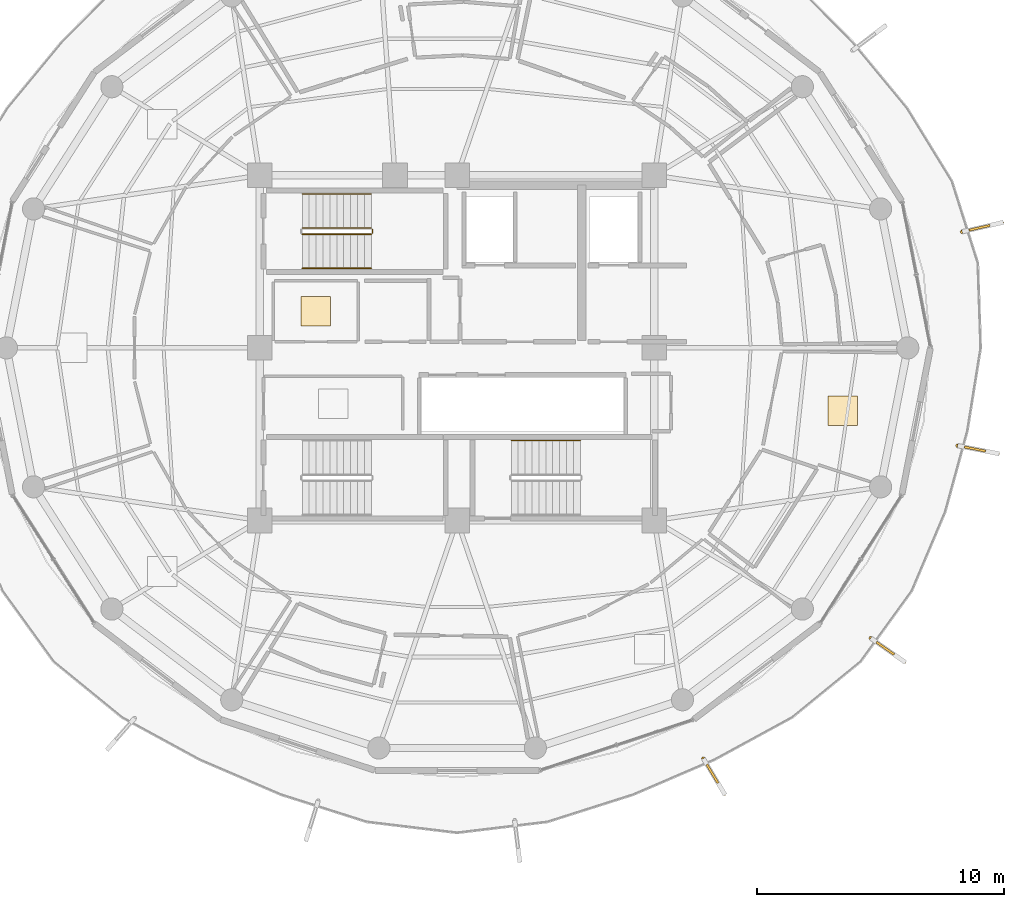
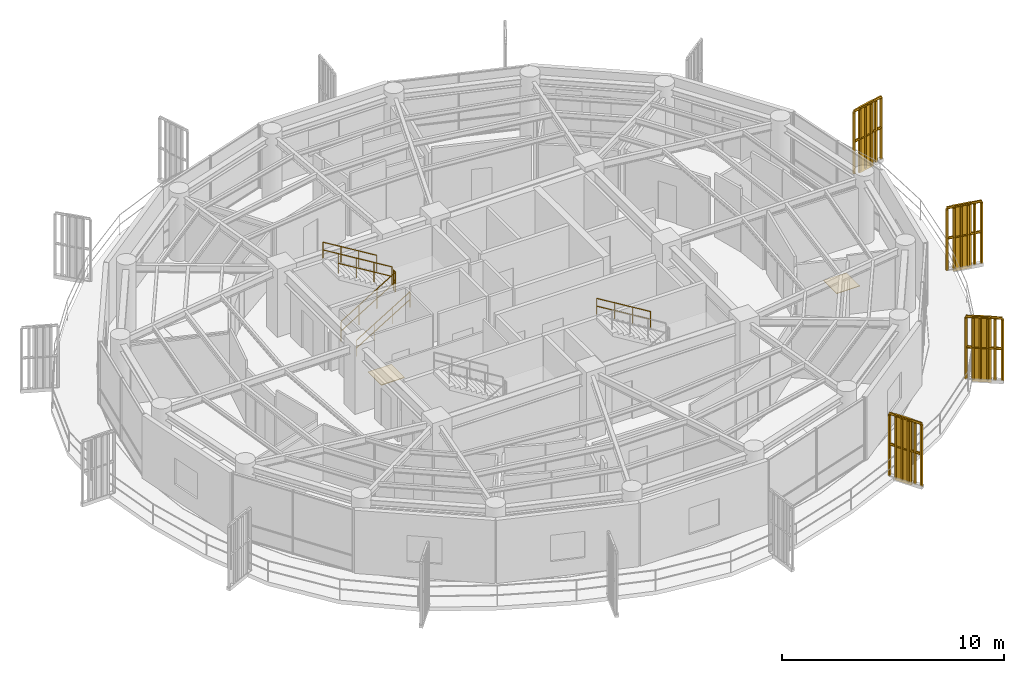
# One storey, part 22 of 23: 10 railings, 4 shading devices, 2 coverings.
"""IFC4 building model written with IfcOpenShell, lengths in metres."""

import ifcopenshell
import ifcopenshell.guid

model = None  # the IFC model being written
_history = None  # IfcOwnerHistory: only IFC2X3 demands one
_inside = {}  # id of a spatial element -> (the spatial element, [elements in it])
_under = {}  # id of a project, library or spatial element -> (it, [spatial elements below it])
_declared = {}  # id of a project -> (the project, [libraries it declares])
_typed = {}  # id of a type object -> (the type object, [elements of that type])
_made_of = {}  # id of a material, layer set ... -> (it, [elements and type objects made of it])


def new_model(schema):
    """Start an empty IFC model of exactly this schema.

    Asked for "IFC4X3", IfcOpenShell would pick the latest addendum, in which some entities
    have other attributes; the version numbers below select the first issue.
    IFC2X3 requires an IfcOwnerHistory on every rooted entity: one is made here for all.
    """
    global model, _history
    if schema == "IFC4X3":
        model = ifcopenshell.file(schema_version=(4, 3, 0, 0))
    else:
        model = ifcopenshell.file(schema=schema)
    _inside.clear()
    _under.clear()
    _declared.clear()
    _typed.clear()
    _made_of.clear()
    _history = None
    if model.schema == "IFC2X3":
        org = make("IfcOrganization", Name="unknown")
        user = make(
            "IfcPersonAndOrganization",
            ThePerson=make("IfcPerson", FamilyName="unknown"),
            TheOrganization=org,
        )
        app = make(
            "IfcApplication",
            ApplicationDeveloper=org,
            Version="unknown",
            ApplicationFullName="unknown",
            ApplicationIdentifier="unknown",
        )
        _history = make(
            "IfcOwnerHistory",
            OwningUser=user,
            OwningApplication=app,
            ChangeAction="ADDED",
            CreationDate=0,
        )
    return model


def make(cls, **values):
    """One entity of the class cls with the attributes given. An attribute that is None is left unset."""
    return model.create_entity(
        cls, **{name: value for name, value in values.items() if value is not None}
    )


def rooted(cls, **values):
    """An entity with a GlobalId (a new one), such as an element, a storey or a relation."""
    return make(cls, GlobalId=ifcopenshell.guid.new(), OwnerHistory=_history, **values)


def si_unit(unit_type, name, prefix=None):
    """IfcSIUnit, for example si_unit("LENGTHUNIT", "METRE", prefix="MILLI")."""
    return make("IfcSIUnit", UnitType=unit_type, Prefix=prefix, Name=name)


def assignment(units):
    """IfcUnitAssignment: the units of a project."""
    return None if units is None else make("IfcUnitAssignment", Units=units)


def point(xyz):
    """IfcCartesianPoint."""
    return None if xyz is None else make("IfcCartesianPoint", Coordinates=xyz)


def direction(xyz):
    """IfcDirection."""
    return None if xyz is None else make("IfcDirection", DirectionRatios=xyz)


def frame(location, z_axis=None, x_axis=None):
    """IfcAxis2Placement3D, a coordinate frame: its origin and axes. An axis left out is left unset."""
    return make(
        "IfcAxis2Placement3D",
        Location=point(location),
        Axis=direction(z_axis),
        RefDirection=direction(x_axis),
    )


def frame_2d(location, x_axis=None):
    """IfcAxis2Placement2D, a coordinate frame in the plane: its origin and x axis."""
    return make(
        "IfcAxis2Placement2D", Location=point(location), RefDirection=direction(x_axis)
    )


def origin():
    """The frame at (0, 0, 0) with its axes left unset."""
    return frame((0.0, 0.0, 0.0))


def origin_2d():
    """The frame at (0, 0) in the plane with its x axis left unset."""
    return frame_2d((0.0, 0.0))


def place(relative_to, where):
    """IfcLocalPlacement: puts the frame where relative to a parent placement (None: the world)."""
    return make(
        "IfcLocalPlacement", PlacementRelTo=relative_to, RelativePlacement=where
    )


def context(
    kind, dimensions, precision=None, world=None, true_north=None, identifier=None
):
    """IfcGeometricRepresentationContext, for example the 3D "Model" context."""
    return make(
        "IfcGeometricRepresentationContext",
        ContextIdentifier=identifier,
        ContextType=kind,
        CoordinateSpaceDimension=dimensions,
        Precision=precision,
        WorldCoordinateSystem=world,
        TrueNorth=true_north,
    )


def subcontext(parent, identifier, kind, view, scale=None):
    """IfcGeometricRepresentationSubContext, for example "Body" below "Model"."""
    return make(
        "IfcGeometricRepresentationSubContext",
        ContextIdentifier=identifier,
        ContextType=kind,
        ParentContext=parent,
        TargetScale=scale,
        TargetView=view,
    )


def project(units=None, contexts=None):
    """IfcProject with its units and contexts."""
    return rooted(
        "IfcProject",
        Name="project",
        RepresentationContexts=contexts,
        UnitsInContext=assignment(units),
    )


def spatial(cls, under=None, at=None, **own):
    """A site, building, storey or space (cls), placed at a placement, below another one or the project."""
    s = rooted(cls, ObjectPlacement=at, **own)
    if under is not None:
        _under.setdefault(under.id(), (under, []))[1].append(s)
    return s


def polyline(points):
    """IfcPolyline through the points."""
    return make("IfcPolyline", Points=[point(p) for p in points])


def profile(cls, at=None, kind="AREA", **sizes):
    """A parametric profile (cls). Its sizes go by their IFC names, for example OverallWidth=200.0."""
    return make(cls, ProfileType=kind, Position=at, **sizes)


def rectangle(**sizes):
    """IfcRectangleProfileDef."""
    return profile("IfcRectangleProfileDef", **sizes)


def outline(outer, holes=None, kind="AREA"):
    """IfcArbitraryClosedProfileDef: a profile drawn as a closed curve; with holes, ...WithVoids."""
    if holes is None:
        return make("IfcArbitraryClosedProfileDef", ProfileType=kind, OuterCurve=outer)
    return make(
        "IfcArbitraryProfileDefWithVoids",
        ProfileType=kind,
        OuterCurve=outer,
        InnerCurves=holes,
    )


def extrude(swept, where, along, depth):
    """IfcExtrudedAreaSolid: the profile swept, set in the frame where, extruded along a direction by depth."""
    return make(
        "IfcExtrudedAreaSolid",
        SweptArea=swept,
        Position=where,
        ExtrudedDirection=direction(along),
        Depth=depth,
    )


def shape(context_of_items, identifier, shape_type, items):
    """IfcShapeRepresentation: the items that make up one representation, for example the "Body"."""
    return make(
        "IfcShapeRepresentation",
        ContextOfItems=context_of_items,
        RepresentationIdentifier=identifier,
        RepresentationType=shape_type,
        Items=items,
    )


def source(mapping_origin, context_of_items, identifier, shape_type, items):
    """IfcRepresentationMap: a shape defined once, which mapped items show again and again."""
    return make(
        "IfcRepresentationMap",
        MappingOrigin=mapping_origin,
        MappedRepresentation=shape(context_of_items, identifier, shape_type, items),
    )


def transform(
    local_origin,
    x_axis=None,
    y_axis=None,
    z_axis=None,
    scale=None,
    scale2=None,
    scale3=None,
    uniform=True,
):
    """IfcCartesianTransformationOperator3D, or its non-uniform kind. x_axis, y_axis, z_axis: its Axis1, 2, 3."""
    if uniform:
        return make(
            "IfcCartesianTransformationOperator3D",
            Axis1=direction(x_axis),
            Axis2=direction(y_axis),
            LocalOrigin=point(local_origin),
            Scale=scale,
            Axis3=direction(z_axis),
        )
    return make(
        "IfcCartesianTransformationOperator3DnonUniform",
        Axis1=direction(x_axis),
        Axis2=direction(y_axis),
        LocalOrigin=point(local_origin),
        Scale=scale,
        Axis3=direction(z_axis),
        Scale2=scale2,
        Scale3=scale3,
    )


def mapped(mapping_source, mapping_target):
    """IfcMappedItem: shows the shape of a source again, moved by a transform."""
    return make(
        "IfcMappedItem", MappingSource=mapping_source, MappingTarget=mapping_target
    )


def material(Name=None, Category=None):
    """IfcMaterial."""
    return make("IfcMaterial", Name=Name, Category=Category)


def layer(
    of_material, thickness, ventilated=None, Name=None, Category=None, Priority=None
):
    """IfcMaterialLayer: one layer of a wall or slab, of a material (None: an air gap)."""
    return make(
        "IfcMaterialLayer",
        Material=of_material,
        LayerThickness=thickness,
        IsVentilated=ventilated,
        Name=Name,
        Category=Category,
        Priority=Priority,
    )


def layer_set(layers, Name=None):
    """IfcMaterialLayerSet."""
    return make("IfcMaterialLayerSet", MaterialLayers=layers, LayerSetName=Name)


def made_of(thing, what):
    """Note that an element or type object is made of a material, layer set ...; save() writes the relation."""
    if what is not None:
        _made_of.setdefault(what.id(), (what, []))[1].append(thing)
    return thing


def type_object(cls, material=None, **own):
    """A type object (cls), such as IfcWallType, which elements share."""
    return made_of(rooted(cls, **own), material)


def element(
    cls,
    number,
    at=None,
    inside=None,
    cuts=None,
    type_object=None,
    material=None,
    context=None,
    identifier="Body",
    shape_type=None,
    held_by="IfcProductDefinitionShape",
    body=None,
    shapes=None,
    **own,
):
    """One element of the class cls, such as IfcWall. Its Tag is "e" and its number.

    at: its placement. inside: the storey or other place that contains it. cuts: it is an
    opening in that element (IfcRelVoidsElement). A single representation is given by context,
    identifier, shape_type and body (its items); several are given by shapes. held_by: the class
    of the entity that holds the representations. save() writes the other relations.
    """
    e = rooted(cls, Tag="e%d" % number, ObjectPlacement=at, **own)
    if body is not None:
        shapes = [shape(context, identifier, shape_type, body)]
    if shapes is not None:
        e.Representation = make(held_by, Representations=shapes)
    if inside is not None:
        _inside.setdefault(inside.id(), (inside, []))[1].append(e)
    if cuts is not None:
        rooted(
            "IfcRelVoidsElement", RelatingBuildingElement=cuts, RelatedOpeningElement=e
        )
    if type_object is not None:
        _typed.setdefault(type_object.id(), (type_object, []))[1].append(e)
    return made_of(e, material)


def aggregate(whole, parts):
    """IfcRelAggregates: a whole, such as a stair, and the parts it consists of."""
    return rooted("IfcRelAggregates", RelatingObject=whole, RelatedObjects=parts)


def save(model, path):
    """Write the relations noted so far, then the file.

    IfcRelAggregates (storeys below a building ...), IfcRelContainedInSpatialStructure (elements
    in a storey), IfcRelDefinesByType, IfcRelAssociatesMaterial and IfcRelDeclares: one each for
    every whole, place, type object, material and project.
    """
    for whole, parts in _under.values():
        aggregate(whole, parts)
    for where, things in _inside.values():
        rooted(
            "IfcRelContainedInSpatialStructure",
            RelatedElements=things,
            RelatingStructure=where,
        )
    for kind, things in _typed.values():
        rooted("IfcRelDefinesByType", RelatedObjects=things, RelatingType=kind)
    for what, things in _made_of.values():
        rooted("IfcRelAssociatesMaterial", RelatedObjects=things, RelatingMaterial=what)
    for by, libraries in _declared.values():
        rooted("IfcRelDeclares", RelatingContext=by, RelatedDefinitions=libraries)
    model.write(path)


model = new_model("IFC4")

# Units and contexts
model_context = context("Model", 3, precision=1e-05, world=origin(), true_north=direction((0.0, 1.0)))
body_context = subcontext(model_context, "Body", "Model", "MODEL_VIEW")
ifc_project = project(units=[si_unit("LENGTHUNIT", "METRE"), si_unit("AREAUNIT", "SQUARE_METRE"), si_unit("VOLUMEUNIT", "CUBIC_METRE"), si_unit("PLANEANGLEUNIT", "RADIAN"), si_unit("MASSUNIT", "GRAM", prefix="KILO")], contexts=[model_context])

# Site, building, storey
site_placement = place(None, origin())
site = spatial("IfcSite", under=ifc_project, at=site_placement, CompositionType="ELEMENT")
building_placement = place(site_placement, origin())
building = spatial("IfcBuilding", under=site, at=building_placement, Name="Kelanora Arch Commons", CompositionType="ELEMENT")
storey_placement = place(building_placement, frame((0.0, 0.0, 252.449951171875)))
storey = spatial("IfcBuildingStorey", under=building, at=storey_placement, Name="L64", CompositionType="ELEMENT", Elevation=252.449951171875)

# Railings
ifc_material_1 = material(Name="Anodised bronze vertical shading fin rib assembly")
railing_type_1 = type_object("IfcRailingType", Name="RAIL-FIN-BRZ", PredefinedType="BALUSTRADE", material=ifc_material_1)
railing_1_placement = place(storey_placement, frame((90.77880859375, 46.228759765625, -0.02001953125)))
element("IfcRailing", 1, at=railing_1_placement, inside=storey, type_object=railing_type_1, Name="Sweeping Bronze Vertical Fin Blade L64-00", PredefinedType="BALUSTRADE", context=body_context, shape_type="SweptSolid", body=[
    extrude(outline(polyline([(0.06982421875, 0.0), (0.034912109375, 0.060546875), (-0.034912109375, 0.060546875), (-0.06982421875, 0.0), (-0.034912109375, -0.060546875), (0.034912109375, -0.060546875), (0.06982421875, 0.0)])), frame((0.0, 0.0, 3.419921875), z_axis=(0.818616168647, -0.5743409862, 0.0), x_axis=(0.5743409862, 0.818616168647, 0.0)), (0.0, 0.0, 1.0), 1.6591796875),
    extrude(outline(polyline([(0.06982421875, 0.0), (0.034912109375, 0.060546875), (-0.034912109375, 0.060546875), (-0.06982421875, 0.0), (-0.034912109375, -0.060546875), (0.034912109375, -0.060546875), (0.06982421875, 0.0)])), frame((0.0, 0.0, 1.7451171875), z_axis=(0.818616168647, -0.5743409862, 0.0), x_axis=(0.5743409862, 0.818616168647, 0.0)), (0.0, 0.0, 1.0), 1.6591796875),
    extrude(outline(polyline([(0.080078125, 0.0), (0.0400390625, 0.0693359375), (-0.0400390625, 0.0693359375), (-0.080078125, 0.0), (-0.0400390625, -0.0693359375), (0.0400390625, -0.0693359375), (0.080078125, 0.0)])), origin(), (0.0, 0.0, 1.0), 3.35009765625),
    extrude(outline(polyline([(0.080078125, 0.0), (0.0400390625, 0.0693359375), (-0.0400390625, 0.0693359375), (-0.080078125, 0.0), (-0.0400390625, -0.0693359375), (0.0400390625, -0.0693359375), (0.080078125, 0.0)])), frame((0.271728515625, -0.190673828125, 0.0)), (0.0, 0.0, 1.0), 3.35009765625),
    extrude(outline(polyline([(0.080078125, 0.0), (0.0400390625, 0.0693359375), (-0.0400390625, 0.0693359375), (-0.080078125, 0.0), (-0.0400390625, -0.0693359375), (0.0400390625, -0.0693359375), (0.080078125, 0.0)])), frame((0.543212890625, -0.381103515625, 0.0)), (0.0, 0.0, 1.0), 3.35009765625),
    extrude(outline(polyline([(0.080078125, 0.0), (0.0400390625, 0.0693359375), (-0.0400390625, 0.0693359375), (-0.080078125, 0.0), (-0.0400390625, -0.0693359375), (0.0400390625, -0.0693359375), (0.080078125, 0.0)])), frame((0.81494140625, -0.57177734375, 0.0)), (0.0, 0.0, 1.0), 3.35009765625),
    extrude(outline(polyline([(0.080078125, 0.0), (0.0400390625, 0.0693359375), (-0.0400390625, 0.0693359375), (-0.080078125, 0.0), (-0.0400390625, -0.0693359375), (0.0400390625, -0.0693359375), (0.080078125, 0.0)])), frame((1.08642578125, -0.76220703125, 0.0)), (0.0, 0.0, 1.0), 3.35009765625),
    extrude(outline(polyline([(0.080078125, 0.0), (0.0400390625, 0.0693359375), (-0.0400390625, 0.0693359375), (-0.080078125, 0.0), (-0.0400390625, -0.0693359375), (0.0400390625, -0.0693359375), (0.080078125, 0.0)])), frame((1.358154296875, -0.952880859375, 0.0)), (0.0, 0.0, 1.0), 3.35009765625),
])
railing_2_placement = place(storey_placement, frame((94.29931640625, 54.03515625, -0.02001953125)))
element("IfcRailing", 2, at=railing_2_placement, inside=storey, type_object=railing_type_1, Name="Sweeping Bronze Vertical Fin Blade L64-01", PredefinedType="BALUSTRADE", context=body_context, shape_type="SweptSolid", body=[
    extrude(outline(polyline([(0.06982421875, 0.0), (0.034912109375, 0.060546875), (-0.034912109375, 0.060546875), (-0.06982421875, 0.0), (-0.034912109375, -0.060546875), (0.034912109375, -0.060546875), (0.06982421875, 0.0)])), frame((0.0, 0.0, 3.419921875), z_axis=(0.981448069066, -0.191728161018, 0.0), x_axis=(0.191728161018, 0.981448069066, 0.0)), (0.0, 0.0, 1.0), 1.6591796875),
    extrude(outline(polyline([(0.06982421875, 0.0), (0.034912109375, 0.060546875), (-0.034912109375, 0.060546875), (-0.06982421875, 0.0), (-0.034912109375, -0.060546875), (0.034912109375, -0.060546875), (0.06982421875, 0.0)])), frame((0.0, 0.0, 1.7451171875), z_axis=(0.981448069066, -0.191728161018, 0.0), x_axis=(0.191728161018, 0.981448069066, 0.0)), (0.0, 0.0, 1.0), 1.6591796875),
    extrude(outline(polyline([(0.080078125, 0.0), (0.0400390625, 0.0693359375), (-0.0400390625, 0.0693359375), (-0.080078125, 0.0), (-0.0400390625, -0.0693359375), (0.0400390625, -0.0693359375), (0.080078125, 0.0)])), origin(), (0.0, 0.0, 1.0), 3.35009765625),
    extrude(outline(polyline([(0.080078125, 0.0), (0.0400390625, 0.0693359375), (-0.0400390625, 0.0693359375), (-0.080078125, 0.0), (-0.0400390625, -0.0693359375), (0.0400390625, -0.0693359375), (0.080078125, 0.0)])), frame((0.32568359375, -0.063720703125, 0.0)), (0.0, 0.0, 1.0), 3.35009765625),
    extrude(outline(polyline([(0.080078125, 0.0), (0.0400390625, 0.0693359375), (-0.0400390625, 0.0693359375), (-0.080078125, 0.0), (-0.0400390625, -0.0693359375), (0.0400390625, -0.0693359375), (0.080078125, 0.0)])), frame((0.6513671875, -0.127197265625, 0.0)), (0.0, 0.0, 1.0), 3.35009765625),
    extrude(outline(polyline([(0.080078125, 0.0), (0.0400390625, 0.0693359375), (-0.0400390625, 0.0693359375), (-0.080078125, 0.0), (-0.0400390625, -0.0693359375), (0.0400390625, -0.0693359375), (0.080078125, 0.0)])), frame((0.97705078125, -0.19091796875, 0.0)), (0.0, 0.0, 1.0), 3.35009765625),
    extrude(outline(polyline([(0.080078125, 0.0), (0.0400390625, 0.0693359375), (-0.0400390625, 0.0693359375), (-0.080078125, 0.0), (-0.0400390625, -0.0693359375), (0.0400390625, -0.0693359375), (0.080078125, 0.0)])), frame((1.302734375, -0.25439453125, 0.0)), (0.0, 0.0, 1.0), 3.35009765625),
    extrude(outline(polyline([(0.080078125, 0.0), (0.0400390625, 0.0693359375), (-0.0400390625, 0.0693359375), (-0.080078125, 0.0), (-0.0400390625, -0.0693359375), (0.0400390625, -0.0693359375), (0.080078125, 0.0)])), frame((1.62841796875, -0.318115234375, 0.0)), (0.0, 0.0, 1.0), 3.35009765625),
])
railing_3_placement = place(storey_placement, frame((94.4853515625, 62.7099609375, -0.02001953125)))
element("IfcRailing", 3, at=railing_3_placement, inside=storey, type_object=railing_type_1, Name="Sweeping Bronze Vertical Fin Blade L64-02", PredefinedType="BALUSTRADE", context=body_context, shape_type="SweptSolid", body=[
    extrude(outline(polyline([(0.06982421875, 0.0), (0.034912109375, 0.060546875), (-0.034912109375, 0.060546875), (-0.06982421875, 0.0), (-0.034912109375, -0.060546875), (0.034912109375, -0.060546875), (0.06982421875, 0.0)])), frame((0.0, 0.0, 3.419921875), z_axis=(0.974596636743, 0.223967398629, 0.0), x_axis=(-0.223967398629, 0.974596636743, 0.0)), (0.0, 0.0, 1.0), 1.6591796875),
    extrude(outline(polyline([(0.06982421875, 0.0), (0.034912109375, 0.060546875), (-0.034912109375, 0.060546875), (-0.06982421875, 0.0), (-0.034912109375, -0.060546875), (0.034912109375, -0.060546875), (0.06982421875, 0.0)])), frame((0.0, 0.0, 1.7451171875), z_axis=(0.974596636743, 0.223967398629, 0.0), x_axis=(-0.223967398629, 0.974596636743, 0.0)), (0.0, 0.0, 1.0), 1.6591796875),
    extrude(outline(polyline([(0.080078125, 0.0), (0.0400390625, 0.0693359375), (-0.0400390625, 0.0693359375), (-0.080078125, 0.0), (-0.0400390625, -0.0693359375), (0.0400390625, -0.0693359375), (0.080078125, 0.0)])), origin(), (0.0, 0.0, 1.0), 3.35009765625),
    extrude(outline(polyline([(0.080078125, 0.0), (0.0400390625, 0.0693359375), (-0.0400390625, 0.0693359375), (-0.080078125, 0.0), (-0.0400390625, -0.0693359375), (0.0400390625, -0.0693359375), (0.080078125, 0.0)])), frame((0.323486328125, 0.07421875, 0.0)), (0.0, 0.0, 1.0), 3.35009765625),
    extrude(outline(polyline([(0.080078125, 0.0), (0.0400390625, 0.0693359375), (-0.0400390625, 0.0693359375), (-0.080078125, 0.0), (-0.0400390625, -0.0693359375), (0.0400390625, -0.0693359375), (0.080078125, 0.0)])), frame((0.646728515625, 0.148681640625, 0.0)), (0.0, 0.0, 1.0), 3.35009765625),
    extrude(outline(polyline([(0.080078125, 0.0), (0.0400390625, 0.0693359375), (-0.0400390625, 0.0693359375), (-0.080078125, 0.0), (-0.0400390625, -0.0693359375), (0.0400390625, -0.0693359375), (0.080078125, 0.0)])), frame((0.97021484375, 0.222900390625, 0.0)), (0.0, 0.0, 1.0), 3.35009765625),
    extrude(outline(polyline([(0.080078125, 0.0), (0.0400390625, 0.0693359375), (-0.0400390625, 0.0693359375), (-0.080078125, 0.0), (-0.0400390625, -0.0693359375), (0.0400390625, -0.0693359375), (0.080078125, 0.0)])), frame((1.29345703125, 0.29736328125, 0.0)), (0.0, 0.0, 1.0), 3.35009765625),
    extrude(outline(polyline([(0.080078125, 0.0), (0.0400390625, 0.0693359375), (-0.0400390625, 0.0693359375), (-0.080078125, 0.0), (-0.0400390625, -0.0693359375), (0.0400390625, -0.0693359375), (0.080078125, 0.0)])), frame((1.616943359375, 0.37158203125, 0.0)), (0.0, 0.0, 1.0), 3.35009765625),
])
railing_4_placement = place(storey_placement, frame((83.986572265625, 41.34521484375, -0.02001953125)))
element("IfcRailing", 4, at=railing_4_placement, inside=storey, type_object=railing_type_1, Name="Sweeping Bronze Vertical Fin Blade L64-14", PredefinedType="BALUSTRADE", context=body_context, shape_type="SweptSolid", body=[
    extrude(outline(polyline([(0.06982421875, 0.0), (0.034912109375, 0.060546875), (-0.034912109375, 0.060546875), (-0.06982421875, 0.0), (-0.034912109375, -0.060546875), (0.034912109375, -0.060546875), (0.06982421875, 0.0)])), frame((0.0, 0.0, 3.419921875), z_axis=(0.514300980362, -0.857609760672, 0.0), x_axis=(0.857609760672, 0.514300980362, 0.0)), (0.0, 0.0, 1.0), 1.6591796875),
    extrude(outline(polyline([(0.06982421875, 0.0), (0.034912109375, 0.060546875), (-0.034912109375, 0.060546875), (-0.06982421875, 0.0), (-0.034912109375, -0.060546875), (0.034912109375, -0.060546875), (0.06982421875, 0.0)])), frame((0.0, 0.0, 1.7451171875), z_axis=(0.514300980362, -0.857609760672, 0.0), x_axis=(0.857609760672, 0.514300980362, 0.0)), (0.0, 0.0, 1.0), 1.6591796875),
    extrude(outline(polyline([(0.080078125, 0.0), (0.0400390625, 0.0693359375), (-0.0400390625, 0.0693359375), (-0.080078125, 0.0), (-0.0400390625, -0.0693359375), (0.0400390625, -0.0693359375), (0.080078125, 0.0)])), origin(), (0.0, 0.0, 1.0), 3.35009765625),
    extrude(outline(polyline([(0.080078125, 0.0), (0.0400390625, 0.0693359375), (-0.0400390625, 0.0693359375), (-0.080078125, 0.0), (-0.0400390625, -0.0693359375), (0.0400390625, -0.0693359375), (0.080078125, 0.0)])), frame((0.170654296875, -0.28466796875, 0.0)), (0.0, 0.0, 1.0), 3.35009765625),
    extrude(outline(polyline([(0.080078125, 0.0), (0.0400390625, 0.0693359375), (-0.0400390625, 0.0693359375), (-0.080078125, 0.0), (-0.0400390625, -0.0693359375), (0.0400390625, -0.0693359375), (0.080078125, 0.0)])), frame((0.34130859375, -0.569091796875, 0.0)), (0.0, 0.0, 1.0), 3.35009765625),
    extrude(outline(polyline([(0.080078125, 0.0), (0.0400390625, 0.0693359375), (-0.0400390625, 0.0693359375), (-0.080078125, 0.0), (-0.0400390625, -0.0693359375), (0.0400390625, -0.0693359375), (0.080078125, 0.0)])), frame((0.511962890625, -0.853759765625, 0.0)), (0.0, 0.0, 1.0), 3.35009765625),
    extrude(outline(polyline([(0.080078125, 0.0), (0.0400390625, 0.0693359375), (-0.0400390625, 0.0693359375), (-0.080078125, 0.0), (-0.0400390625, -0.0693359375), (0.0400390625, -0.0693359375), (0.080078125, 0.0)])), frame((0.6826171875, -1.13818359375, 0.0)), (0.0, 0.0, 1.0), 3.35009765625),
    extrude(outline(polyline([(0.080078125, 0.0), (0.0400390625, 0.0693359375), (-0.0400390625, 0.0693359375), (-0.080078125, 0.0), (-0.0400390625, -0.0693359375), (0.0400390625, -0.0693359375), (0.080078125, 0.0)])), frame((0.853271484375, -1.4228515625, 0.0)), (0.0, 0.0, 1.0), 3.35009765625),
])
ifc_material_2 = material(Name="Painted steel stair well guard", Category="steel")
railing_type_2 = type_object("IfcRailingType", Name="RAIL-STAIR-GRD", PredefinedType="GUARDRAIL", material=ifc_material_2)
railing_5_placement = place(storey_placement, frame((67.719970703125, 62.610107421875, 0.17041015625)))
element("IfcRailing", 5, at=railing_5_placement, inside=storey, type_object=railing_type_2, Name="L64 ST-T1 stair guard 1", PredefinedType="GUARDRAIL", context=body_context, shape_type="SweptSolid", body=[
    extrude(outline(polyline([(0.02392578125, 0.0), (0.011962890625, 0.020751953125), (-0.011962890625, 0.020751953125), (-0.02392578125, 0.0), (-0.011962890625, -0.020751953125), (0.011962890625, -0.020751953125), (0.02392578125, 0.0)])), frame((0.0, 0.0, 1.076171875), z_axis=(0.854169791009, 0.0, 0.51999420009), x_axis=(0.0, 1.0, 0.0)), (0.0, 0.0, 1.0), 3.278076171875),
    extrude(outline(polyline([(0.02392578125, 0.0), (0.011962890625, 0.020751953125), (-0.011962890625, 0.020751953125), (-0.02392578125, 0.0), (-0.011962890625, -0.020751953125), (0.011962890625, -0.020751953125), (0.02392578125, 0.0)])), frame((0.0, 0.0, 0.550048828125), z_axis=(0.854169791009, 0.0, 0.51999420009), x_axis=(0.0, 1.0, 0.0)), (0.0, 0.0, 1.0), 3.278076171875),
    extrude(outline(polyline([(0.02099609375, 0.0), (0.010498046875, 0.01806640625), (-0.010498046875, 0.01806640625), (-0.02099609375, 0.0), (-0.010498046875, -0.01806640625), (0.010498046875, -0.01806640625), (0.02099609375, 0.0)])), origin(), (0.0, 0.0, 1.0), 1.052001953125),
    extrude(outline(polyline([(0.02099609375, 0.0), (0.010498046875, 0.01806640625), (-0.010498046875, 0.01806640625), (-0.02099609375, 0.0), (-0.010498046875, -0.01806640625), (0.010498046875, -0.01806640625), (0.02099609375, 0.0)])), frame((0.933349609375, 0.0, 0.568115234375)), (0.0, 0.0, 1.0), 1.052001953125),
    extrude(outline(polyline([(0.02099609375, 0.0), (0.010498046875, 0.01806640625), (-0.010498046875, 0.01806640625), (-0.02099609375, 0.0), (-0.010498046875, -0.01806640625), (0.010498046875, -0.01806640625), (0.02099609375, 0.0)])), frame((1.86669921875, 0.0, 1.136474609375)), (0.0, 0.0, 1.0), 1.052001953125),
    extrude(outline(polyline([(0.02099609375, 0.0), (0.010498046875, 0.01806640625), (-0.010498046875, 0.01806640625), (-0.02099609375, 0.0), (-0.010498046875, -0.01806640625), (0.010498046875, -0.01806640625), (0.02099609375, 0.0)])), frame((2.800048828125, 0.0, 1.70458984375)), (0.0, 0.0, 1.0), 1.052001953125),
])
railing_6_placement = place(storey_placement, frame((70.570068359375, 62.659912109375, 1.875)))
element("IfcRailing", 6, at=railing_6_placement, inside=storey, type_object=railing_type_2, Name="L64 ST-T1 stair guard 2", PredefinedType="GUARDRAIL", context=body_context, shape_type="SweptSolid", body=[
    extrude(outline(polyline([(0.02392578125, 0.0), (0.011962890625, 0.020751953125), (-0.011962890625, 0.020751953125), (-0.02392578125, 0.0), (-0.011962890625, -0.020751953125), (0.011962890625, -0.020751953125), (0.02392578125, 0.0)])), frame((0.0, 0.0, 1.076171875), z_axis=(0.0, 1.0, 0.0), x_axis=(-1.0, 0.0, 0.0)), (0.0, 0.0, 1.0), 0.150146484375),
    extrude(outline(polyline([(0.02392578125, 0.0), (0.011962890625, 0.020751953125), (-0.011962890625, 0.020751953125), (-0.02392578125, 0.0), (-0.011962890625, -0.020751953125), (0.011962890625, -0.020751953125), (0.02392578125, 0.0)])), frame((0.0, 0.0, 0.550048828125), z_axis=(0.0, 1.0, 0.0), x_axis=(-1.0, 0.0, 0.0)), (0.0, 0.0, 1.0), 0.150146484375),
    extrude(outline(polyline([(0.02099609375, 0.0), (0.010498046875, 0.01806640625), (-0.010498046875, 0.01806640625), (-0.02099609375, 0.0), (-0.010498046875, -0.01806640625), (0.010498046875, -0.01806640625), (0.02099609375, 0.0)])), origin(), (0.0, 0.0, 1.0), 1.052001953125),
    extrude(outline(polyline([(0.02099609375, 0.0), (0.010498046875, 0.01806640625), (-0.010498046875, 0.01806640625), (-0.02099609375, 0.0), (-0.010498046875, -0.01806640625), (0.010498046875, -0.01806640625), (0.02099609375, 0.0)])), frame((0.0, 0.150146484375, 0.0)), (0.0, 0.0, 1.0), 1.052001953125),
])
railing_7_placement = place(storey_placement, frame((70.52001953125, 62.860107421875, 2.04541015625)))
element("IfcRailing", 7, at=railing_7_placement, inside=storey, type_object=railing_type_2, Name="L64 ST-T1 stair guard 3", PredefinedType="GUARDRAIL", context=body_context, shape_type="SweptSolid", body=[
    extrude(outline(polyline([(0.02392578125, 0.0), (0.011962890625, 0.020751953125), (-0.011962890625, 0.020751953125), (-0.02392578125, 0.0), (-0.011962890625, -0.020751953125), (0.011962890625, -0.020751953125), (0.02392578125, 0.0)])), frame((0.0, 0.0, 1.076171875), z_axis=(-0.854169791009, 0.0, 0.51999420009), x_axis=(0.0, -1.0, 0.0)), (0.0, 0.0, 1.0), 3.278076171875),
    extrude(outline(polyline([(0.02392578125, 0.0), (0.011962890625, 0.020751953125), (-0.011962890625, 0.020751953125), (-0.02392578125, 0.0), (-0.011962890625, -0.020751953125), (0.011962890625, -0.020751953125), (0.02392578125, 0.0)])), frame((0.0, 0.0, 0.550048828125), z_axis=(-0.854169791009, 0.0, 0.51999420009), x_axis=(0.0, -1.0, 0.0)), (0.0, 0.0, 1.0), 3.278076171875),
    extrude(outline(polyline([(0.02099609375, 0.0), (0.010498046875, 0.01806640625), (-0.010498046875, 0.01806640625), (-0.02099609375, 0.0), (-0.010498046875, -0.01806640625), (0.010498046875, -0.01806640625), (0.02099609375, 0.0)])), origin(), (0.0, 0.0, 1.0), 1.052001953125),
    extrude(outline(polyline([(0.02099609375, 0.0), (0.010498046875, 0.01806640625), (-0.010498046875, 0.01806640625), (-0.02099609375, 0.0), (-0.010498046875, -0.01806640625), (0.010498046875, -0.01806640625), (0.02099609375, 0.0)])), frame((-0.933349609375, 0.0, 0.568115234375)), (0.0, 0.0, 1.0), 1.052001953125),
    extrude(outline(polyline([(0.02099609375, 0.0), (0.010498046875, 0.01806640625), (-0.010498046875, 0.01806640625), (-0.02099609375, 0.0), (-0.010498046875, -0.01806640625), (0.010498046875, -0.01806640625), (0.02099609375, 0.0)])), frame((-1.86669921875, 0.0, 1.136474609375)), (0.0, 0.0, 1.0), 1.052001953125),
    extrude(outline(polyline([(0.02099609375, 0.0), (0.010498046875, 0.01806640625), (-0.010498046875, 0.01806640625), (-0.02099609375, 0.0), (-0.010498046875, -0.01806640625), (0.010498046875, -0.01806640625), (0.02099609375, 0.0)])), frame((-2.800048828125, 0.0, 1.70458984375)), (0.0, 0.0, 1.0), 1.052001953125),
])
ifc_material_3 = material(Name="Brushed stainless steel stair handrail", Category="steel")
railing_type_3 = type_object("IfcRailingType", Name="RAIL-STAIR-HND", PredefinedType="HANDRAIL", material=ifc_material_3)
railing_8_placement = place(storey_placement, frame((67.719970703125, 61.22998046875, 0.17041015625)))
element("IfcRailing", 8, at=railing_8_placement, inside=storey, type_object=railing_type_3, Name="L64 ST-T1 stair handrail 1", PredefinedType="HANDRAIL", context=body_context, shape_type="SweptSolid", body=[
    extrude(outline(polyline([(0.02392578125, 0.0), (0.011962890625, 0.020751953125), (-0.011962890625, 0.020751953125), (-0.02392578125, 0.0), (-0.011962890625, -0.020751953125), (0.011962890625, -0.020751953125), (0.02392578125, 0.0)])), frame((0.0, 0.0, 0.8759765625), z_axis=(0.854169791009, 0.0, 0.51999420009), x_axis=(0.0, 1.0, 0.0)), (0.0, 0.0, 1.0), 3.278076171875),
    extrude(outline(polyline([(0.02392578125, 0.0), (0.011962890625, 0.020751953125), (-0.011962890625, 0.020751953125), (-0.02392578125, 0.0), (-0.011962890625, -0.020751953125), (0.011962890625, -0.020751953125), (0.02392578125, 0.0)])), frame((0.0, 0.0, 0.449951171875), z_axis=(0.854169791009, 0.0, 0.51999420009), x_axis=(0.0, 1.0, 0.0)), (0.0, 0.0, 1.0), 3.278076171875),
    extrude(outline(polyline([(0.02099609375, 0.0), (0.010498046875, 0.01806640625), (-0.010498046875, 0.01806640625), (-0.02099609375, 0.0), (-0.010498046875, -0.01806640625), (0.010498046875, -0.01806640625), (0.02099609375, 0.0)])), origin(), (0.0, 0.0, 1.0), 0.851806640625),
    extrude(outline(polyline([(0.02099609375, 0.0), (0.010498046875, 0.01806640625), (-0.010498046875, 0.01806640625), (-0.02099609375, 0.0), (-0.010498046875, -0.01806640625), (0.010498046875, -0.01806640625), (0.02099609375, 0.0)])), frame((0.933349609375, 0.0, 0.568115234375)), (0.0, 0.0, 1.0), 0.851806640625),
    extrude(outline(polyline([(0.02099609375, 0.0), (0.010498046875, 0.01806640625), (-0.010498046875, 0.01806640625), (-0.02099609375, 0.0), (-0.010498046875, -0.01806640625), (0.010498046875, -0.01806640625), (0.02099609375, 0.0)])), frame((1.86669921875, 0.0, 1.136474609375)), (0.0, 0.0, 1.0), 0.851806640625),
    extrude(outline(polyline([(0.02099609375, 0.0), (0.010498046875, 0.01806640625), (-0.010498046875, 0.01806640625), (-0.02099609375, 0.0), (-0.010498046875, -0.01806640625), (0.010498046875, -0.01806640625), (0.02099609375, 0.0)])), frame((2.800048828125, 0.0, 1.70458984375)), (0.0, 0.0, 1.0), 0.851806640625),
])
railing_9_placement = place(storey_placement, frame((70.52001953125, 64.239990234375, 2.04541015625)))
element("IfcRailing", 9, at=railing_9_placement, inside=storey, type_object=railing_type_3, Name="L64 ST-T1 stair handrail 2", PredefinedType="HANDRAIL", context=body_context, shape_type="SweptSolid", body=[
    extrude(outline(polyline([(0.02392578125, 0.0), (0.011962890625, 0.020751953125), (-0.011962890625, 0.020751953125), (-0.02392578125, 0.0), (-0.011962890625, -0.020751953125), (0.011962890625, -0.020751953125), (0.02392578125, 0.0)])), frame((0.0, 0.0, 0.8759765625), z_axis=(-0.854169791009, 0.0, 0.51999420009), x_axis=(0.0, -1.0, 0.0)), (0.0, 0.0, 1.0), 3.278076171875),
    extrude(outline(polyline([(0.02392578125, 0.0), (0.011962890625, 0.020751953125), (-0.011962890625, 0.020751953125), (-0.02392578125, 0.0), (-0.011962890625, -0.020751953125), (0.011962890625, -0.020751953125), (0.02392578125, 0.0)])), frame((0.0, 0.0, 0.449951171875), z_axis=(-0.854169791009, 0.0, 0.51999420009), x_axis=(0.0, -1.0, 0.0)), (0.0, 0.0, 1.0), 3.278076171875),
    extrude(outline(polyline([(0.02099609375, 0.0), (0.010498046875, 0.01806640625), (-0.010498046875, 0.01806640625), (-0.02099609375, 0.0), (-0.010498046875, -0.01806640625), (0.010498046875, -0.01806640625), (0.02099609375, 0.0)])), origin(), (0.0, 0.0, 1.0), 0.851806640625),
    extrude(outline(polyline([(0.02099609375, 0.0), (0.010498046875, 0.01806640625), (-0.010498046875, 0.01806640625), (-0.02099609375, 0.0), (-0.010498046875, -0.01806640625), (0.010498046875, -0.01806640625), (0.02099609375, 0.0)])), frame((-0.933349609375, 0.0, 0.568115234375)), (0.0, 0.0, 1.0), 0.851806640625),
    extrude(outline(polyline([(0.02099609375, 0.0), (0.010498046875, 0.01806640625), (-0.010498046875, 0.01806640625), (-0.02099609375, 0.0), (-0.010498046875, -0.01806640625), (0.010498046875, -0.01806640625), (0.02099609375, 0.0)])), frame((-1.86669921875, 0.0, 1.136474609375)), (0.0, 0.0, 1.0), 0.851806640625),
    extrude(outline(polyline([(0.02099609375, 0.0), (0.010498046875, 0.01806640625), (-0.010498046875, 0.01806640625), (-0.02099609375, 0.0), (-0.010498046875, -0.01806640625), (0.010498046875, -0.01806640625), (0.02099609375, 0.0)])), frame((-2.800048828125, 0.0, 1.70458984375)), (0.0, 0.0, 1.0), 0.851806640625),
])
railing_10_placement = place(storey_placement, frame((79.0, 54.239990234375, 2.04541015625)))
element("IfcRailing", 10, at=railing_10_placement, inside=storey, type_object=railing_type_3, Name="L64 ST-T2 stair handrail 2", PredefinedType="HANDRAIL", context=body_context, shape_type="SweptSolid", body=[
    extrude(outline(polyline([(0.02392578125, 0.0), (0.011962890625, 0.020751953125), (-0.011962890625, 0.020751953125), (-0.02392578125, 0.0), (-0.011962890625, -0.020751953125), (0.011962890625, -0.020751953125), (0.02392578125, 0.0)])), frame((0.0, 0.0, 0.8759765625), z_axis=(-0.854169791009, 0.0, 0.51999420009), x_axis=(0.0, -1.0, 0.0)), (0.0, 0.0, 1.0), 3.278076171875),
    extrude(outline(polyline([(0.02392578125, 0.0), (0.011962890625, 0.020751953125), (-0.011962890625, 0.020751953125), (-0.02392578125, 0.0), (-0.011962890625, -0.020751953125), (0.011962890625, -0.020751953125), (0.02392578125, 0.0)])), frame((0.0, 0.0, 0.449951171875), z_axis=(-0.854169791009, 0.0, 0.51999420009), x_axis=(0.0, -1.0, 0.0)), (0.0, 0.0, 1.0), 3.278076171875),
    extrude(outline(polyline([(0.02099609375, 0.0), (0.010498046875, 0.01806640625), (-0.010498046875, 0.01806640625), (-0.02099609375, 0.0), (-0.010498046875, -0.01806640625), (0.010498046875, -0.01806640625), (0.02099609375, 0.0)])), origin(), (0.0, 0.0, 1.0), 0.851806640625),
    extrude(outline(polyline([(0.02099609375, 0.0), (0.010498046875, 0.01806640625), (-0.010498046875, 0.01806640625), (-0.02099609375, 0.0), (-0.010498046875, -0.01806640625), (0.010498046875, -0.01806640625), (0.02099609375, 0.0)])), frame((-0.933349609375, 0.0, 0.568115234375)), (0.0, 0.0, 1.0), 0.851806640625),
    extrude(outline(polyline([(0.02099609375, 0.0), (0.010498046875, 0.01806640625), (-0.010498046875, 0.01806640625), (-0.02099609375, 0.0), (-0.010498046875, -0.01806640625), (0.010498046875, -0.01806640625), (0.02099609375, 0.0)])), frame((-1.86669921875, 0.0, 1.136474609375)), (0.0, 0.0, 1.0), 0.851806640625),
    extrude(outline(polyline([(0.02099609375, 0.0), (0.010498046875, 0.01806640625), (-0.010498046875, 0.01806640625), (-0.02099609375, 0.0), (-0.010498046875, -0.01806640625), (0.010498046875, -0.01806640625), (0.02099609375, 0.0)])), frame((-2.800048828125, 0.0, 1.70458984375)), (0.0, 0.0, 1.0), 0.851806640625),
])

# Shading devices
ifc_material_4 = material(Name="Terracotta ceramic-clad extruded aluminium fin", Category="masonry")
shading_device_type = type_object("IfcShadingDeviceType", Name="SHD-FIN-FLARE", PredefinedType="USERDEFINED", material=ifc_material_4)
shared_shape_1 = source(origin(), body_context, "Body", "SweptSolid", [
    extrude(rectangle(XDim=0.8798828125, YDim=0.090087890625, at=origin_2d()), origin(), (0.0, 0.0, 1.0), 3.610107421875),
])
for number, where, z_axis, x_axis, name in (
    (11, (91.3681640625, 45.815185546875, -0.14013671875), (0.0, 0.0, 1.0), (0.818651192576, -0.574291062871, 0.0), "Sweeping Terracotta Fin L64-00"),
    (12, (95.006103515625, 53.897216796875, -0.14013671875), (0.0, 0.0, 1.0), (0.981460297432, -0.191665553932, 0.0), "Sweeping Terracotta Fin L64-01"),
    (13, (95.18701171875, 62.87109375, -0.14013671875), (0.0, 0.0, 1.0), (0.974566000575, 0.224100670509, 0.0), "Sweeping Terracotta Fin L64-02"),
    (14, (84.35693359375, 40.727783203125, -0.14013671875), (0.0, 0.0, 1.0), (0.514289859311, -0.857616429769, 0.0), "Sweeping Terracotta Fin L64-14"),
):
    element("IfcShadingDevice", number, at=place(storey_placement, frame(where, z_axis=z_axis, x_axis=x_axis)), inside=storey, type_object=shading_device_type, Name=name, ObjectType="FIN", PredefinedType="USERDEFINED", context=body_context, shape_type="MappedRepresentation", body=[
        mapped(shared_shape_1, transform((0.0, 0.0, 0.0), scale=1.0)),
    ])

# Coverings
ifc_material_5 = material(Name="Polished local granite terrazzo flooring", Category="masonry")
ifc_layer = layer(ifc_material_5, 0.030029296875)
ifc_layer_set = layer_set([ifc_layer], Name="Polished local granite terrazzo flooring")
covering_type = type_object("IfcCoveringType", Name="COV-FLR-TER", PredefinedType="FLOORING", material=ifc_layer_set)
shared_shape_2 = source(origin(), body_context, "Body", "SweptSolid", [
    extrude(rectangle(XDim=1.199951171875, YDim=1.199951171875, at=origin_2d()), origin(), (0.0, 0.0, 1.0), 0.030029296875),
])
for number, where, z_axis, x_axis, name in (
    (15, (68.27490234375, 59.485107421875, 0.0), (0.0, 0.0, 1.0), (1.0, 0.0, 0.0), "Reclaimed Core Quiet Phone Booths L64 Terrazzo Finish"),
    (16, (89.642822265625, 55.456298828125, 0.0), (0.0, 0.0, 1.0), (1.0, 0.0, 0.0), "Tutorial Study Alcove L64-09 Terrazzo Finish"),
):
    element("IfcCovering", number, at=place(storey_placement, frame(where, z_axis=z_axis, x_axis=x_axis)), inside=storey, type_object=covering_type, Name=name, PredefinedType="FLOORING", context=body_context, shape_type="MappedRepresentation", body=[
        mapped(shared_shape_2, transform((0.0, 0.0, 0.0), scale=1.0)),
    ])

save(model, "model.ifc")
